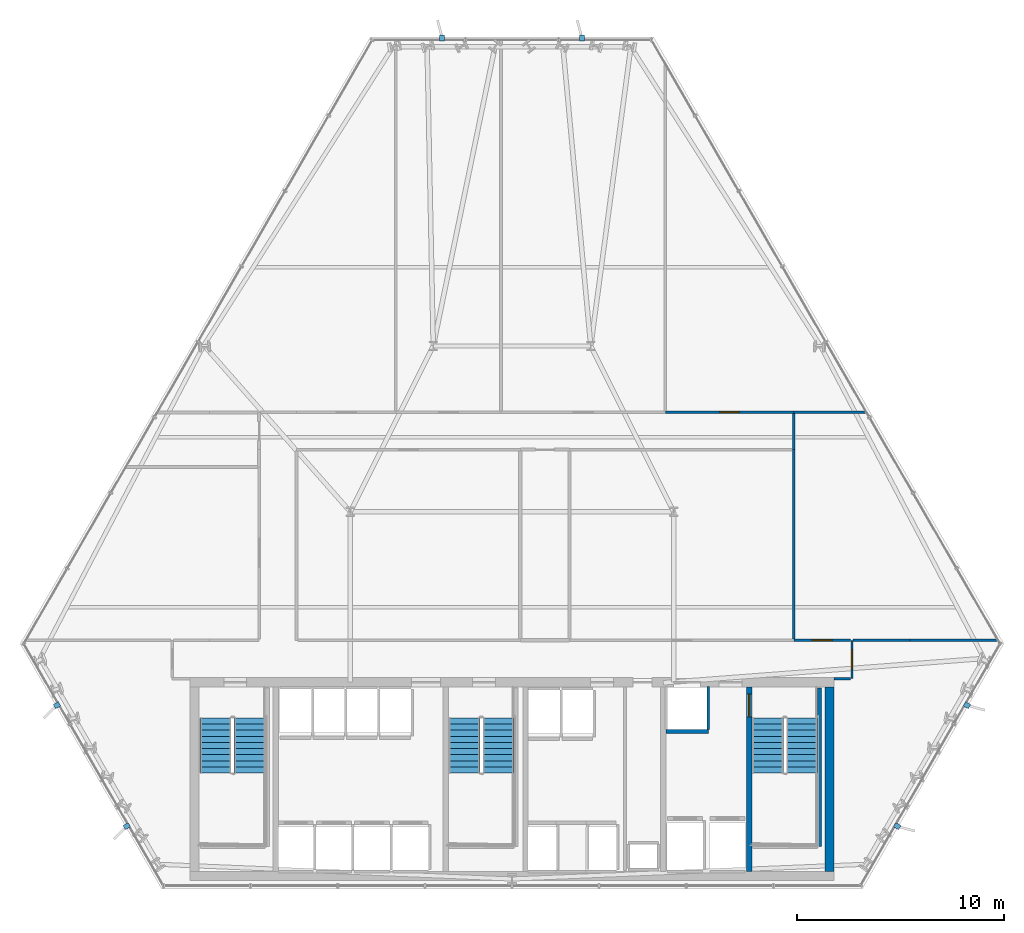
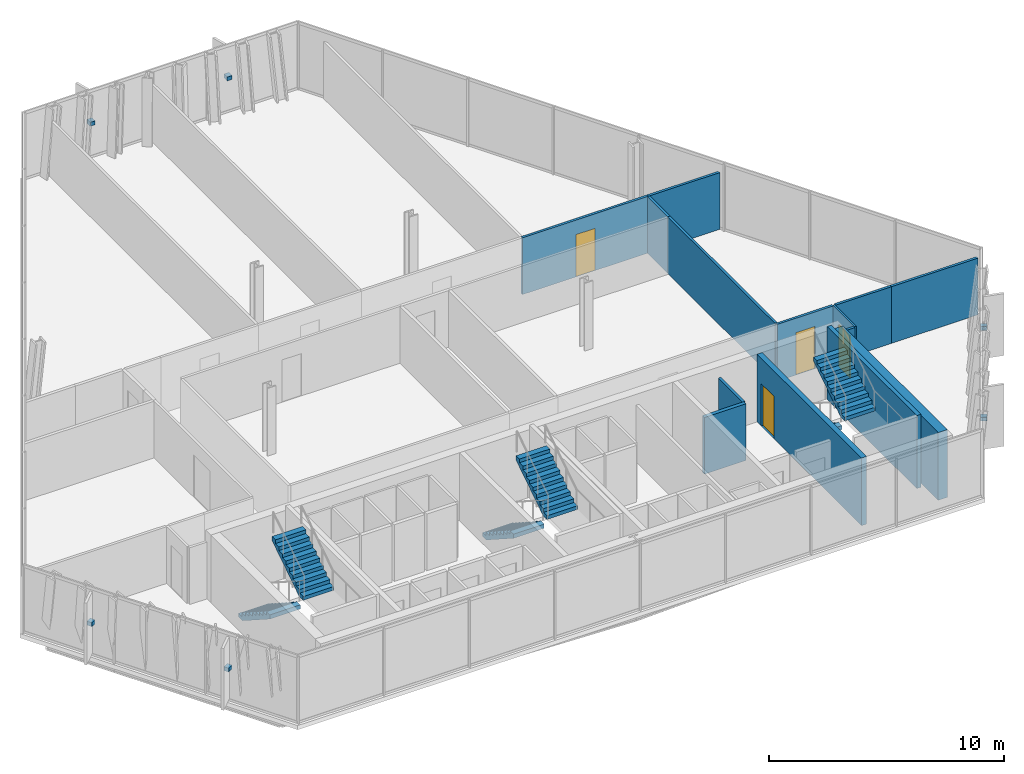
# One storey, part 27 of 31: 14 walls, 6 discrete accessories, 6 stair flights, 4 doors, 4 openings, 3 elements without a shape of their own.
"""IFC4 building model written with IfcOpenShell, lengths in metres."""

from ifc_helpers import new_model, si_unit, direction, frame, frame_2d, origin, origin_2d, place, context, subcontext, project, spatial, polyline, rectangle, outline, extrude, material, layer, layer_set, type_object, element, fill, aggregate, save


model = new_model("IFC4")

# Units and contexts
model_context = context("Model", 3, precision=1e-05, world=origin(), true_north=direction((0.0, 1.0)))
body_context = subcontext(model_context, "Body", "Model", "MODEL_VIEW")
ifc_project = project(units=[si_unit("LENGTHUNIT", "METRE"), si_unit("AREAUNIT", "SQUARE_METRE"), si_unit("VOLUMEUNIT", "CUBIC_METRE"), si_unit("PLANEANGLEUNIT", "RADIAN"), si_unit("MASSUNIT", "GRAM", prefix="KILO")], contexts=[model_context])

# Site, building, storey
site_placement = place(None, origin())
site = spatial("IfcSite", under=ifc_project, at=site_placement, CompositionType="ELEMENT")
building_placement = place(site_placement, origin())
building = spatial("IfcBuilding", under=site, at=building_placement, Name="Ndaravel Arena Tower", CompositionType="ELEMENT")
storey_placement = place(building_placement, frame((0.0, 0.0, 108.199951171875)))
storey = spatial("IfcBuildingStorey", under=building, at=storey_placement, Name="L25", CompositionType="ELEMENT", Elevation=108.199951171875)

# Wall, opening, door
ifc_material_1 = material(Name="Concrete C60/75", Category="concrete")
ifc_layer_1 = layer(ifc_material_1, 0.25)
ifc_layer_set_1 = layer_set([ifc_layer_1], Name="Concrete C60/75")
wall_type_1 = type_object("IfcWallType", Name="WALL-CORE-250", PredefinedType="SOLIDWALL", material=ifc_layer_set_1)
wall_1_placement = place(storey_placement, frame((53.449951171875, 5.85009765625, 0.0), z_axis=(0.0, 0.0, 1.0), x_axis=(0.0, 1.0, 0.0)))
wall_1 = element("IfcWall", 1, at=wall_1_placement, inside=storey, type_object=wall_type_1, Name="L25 Core Web Shear Wall 5", PredefinedType="SOLIDWALL", context=body_context, shape_type="SweptSolid", body=[
    extrude(rectangle(XDim=8.89990234375, YDim=0.25, at=frame_2d((4.449951171875, 0.0))), origin(), (0.0, 0.0, 1.0), 3.52001953125),
])
opening_1_placement = place(wall_1_placement, frame((7.449951171875, 0.0, 0.0)))
opening_1 = element("IfcOpeningElement", 2, at=opening_1_placement, cuts=wall_1, Name="Opening FD-01", PredefinedType="OPENING", context=body_context, shape_type="SweptSolid", body=[
    extrude(rectangle(XDim=1.10009765625, YDim=2.199951171875, at=frame_2d((0.550048828125, 1.10009765625))), frame((0.0, 0.125, 0.0), z_axis=(0.0, -1.0, 0.0), x_axis=(1.0, 0.0, 0.0)), (0.0, 0.0, 1.0), 0.25),
])
ifc_material_2 = material(Name="Steel S355", Category="steel")
door_type_1 = type_object("IfcDoorType", Name="DT-01-STAIR-1100", OperationType="SINGLE_SWING_LEFT", PredefinedType="DOOR", material=ifc_material_2)
door_1_placement = place(opening_1_placement, origin())
door_1 = element("IfcDoor", 3, at=door_1_placement, inside=storey, type_object=door_type_1, Name="L25 Firefighting Lobby to ST-3 Door", OperationType="SINGLE_SWING_LEFT", OverallHeight=2.199951171875, OverallWidth=1.10009765625, PredefinedType="DOOR", context=body_context, shape_type="SweptSolid", body=[
    extrude(rectangle(XDim=1.10009765625, YDim=2.199951171875, at=frame_2d((0.550048828125, 1.10009765625))), frame((0.0, 0.02490234375, 0.0), z_axis=(0.0, -1.0, 0.0), x_axis=(1.0, 0.0, 0.0)), (0.0, 0.0, 1.0), 0.050048828125),
])
fill(opening_1, door_1)

# Wall
ifc_material_3 = material(Name="Concrete C60/75", Category="concrete")
ifc_layer_2 = layer(ifc_material_3, 0.449951171875)
ifc_layer_set_2 = layer_set([ifc_layer_2], Name="Concrete C60/75")
wall_type_2 = type_object("IfcWallType", Name="WALL-CORE-450", PredefinedType="SOLIDWALL", material=ifc_layer_set_2)
wall_2_placement = place(storey_placement, frame((57.324951171875, 5.85009765625, 0.0), z_axis=(0.0, 0.0, 1.0), x_axis=(0.0, 1.0, 0.0)))
element("IfcWall", 4, at=wall_2_placement, inside=storey, type_object=wall_type_2, Name="L25 Core East Shear Wall", PredefinedType="SOLIDWALL", context=body_context, shape_type="SweptSolid", body=[
    extrude(rectangle(XDim=8.89990234375, YDim=0.449951171875, at=frame_2d((4.449951171875, 0.0))), origin(), (0.0, 0.0, 1.0), 3.52001953125),
])

# Wall, opening, door
ifc_material_4 = material(Name="Timber", Category="wood")
ifc_layer_3 = layer(ifc_material_4, 0.10009765625)
ifc_layer_set_3 = layer_set([ifc_layer_3], Name="Timber")
wall_type_3 = type_object("IfcWallType", Name="WALL-MOVABLE-100", PredefinedType="MOVABLE", material=ifc_layer_set_3)
wall_3_placement = place(storey_placement, frame((58.39990234375, 17.0, 0.0), z_axis=(0.0, 0.0, 1.0), x_axis=(0.0, -1.0, 0.0)))
wall_3 = element("IfcWall", 5, at=wall_3_placement, inside=storey, type_object=wall_type_3, Name="L25 Interior Partition 001", PredefinedType="MOVABLE", context=body_context, shape_type="SweptSolid", body=[
    extrude(rectangle(XDim=1.85009765625, YDim=0.10009765625, at=frame_2d((0.925048828125, 0.0))), origin(), (0.0, 0.0, 1.0), 2.950439453125),
])
opening_2_placement = place(wall_3_placement, frame((0.449951171875, 0.0, 0.0)))
opening_2 = element("IfcOpeningElement", 6, at=opening_2_placement, cuts=wall_3, Name="Opening ID-01", PredefinedType="OPENING", context=body_context, shape_type="SweptSolid", body=[
    extrude(rectangle(XDim=0.949951171875, YDim=2.199951171875, at=frame_2d((0.47509765625, 1.10009765625))), frame((0.0, 0.050048828125, 0.0), z_axis=(0.0, -1.0, 0.0), x_axis=(1.0, 0.0, 0.0)), (0.0, 0.0, 1.0), 0.10009765625),
])
ifc_material_5 = material(Name="Timber", Category="wood")
door_type_2 = type_object("IfcDoorType", Name="DT-03-OFFICE-950", OperationType="SINGLE_SWING_LEFT", PredefinedType="DOOR", material=ifc_material_5)
door_2_placement = place(opening_2_placement, origin())
door_2 = element("IfcDoor", 7, at=door_2_placement, inside=storey, type_object=door_type_2, Name="L25 Design Bookshop Boutique Door", OperationType="SINGLE_SWING_LEFT", OverallHeight=2.199951171875, OverallWidth=0.949951171875, PredefinedType="DOOR", context=body_context, shape_type="SweptSolid", body=[
    extrude(rectangle(XDim=0.949951171875, YDim=2.199951171875, at=frame_2d((0.47509765625, 1.10009765625))), frame((0.0, 0.02490234375, 0.0), z_axis=(0.0, -1.0, 0.0), x_axis=(1.0, 0.0, 0.0)), (0.0, 0.0, 1.0), 0.050048828125),
])
fill(opening_2, door_2)

# Wall
ifc_material_6 = material(Name="Gypsum", Category="gypsum")
ifc_layer_4 = layer(ifc_material_6, 0.125)
ifc_layer_set_4 = layer_set([ifc_layer_4], Name="Gypsum")
wall_type_4 = type_object("IfcWallType", Name="WALL-PART-125", PredefinedType="PARTITIONING", material=ifc_layer_set_4)
wall_4_placement = place(storey_placement, frame((58.3349609375, 15.14990234375, 0.0), z_axis=(0.0, 0.0, 1.0), x_axis=(-1.0, 0.0, 0.0)))
element("IfcWall", 8, at=wall_4_placement, inside=storey, type_object=wall_type_4, Name="L25 Interior Partition 002", PredefinedType="PARTITIONING", context=body_context, shape_type="SweptSolid", body=[
    extrude(rectangle(XDim=0.784912109375, YDim=0.125, at=frame_2d((0.392578125, 0.0))), origin(), (0.0, 0.0, 1.0), 2.950439453125),
])

# Wall, opening, door
wall_5_placement = place(storey_placement, frame((49.39990234375, 28.0, 0.0), z_axis=(0.0, 0.0, 1.0), x_axis=(1.0, 0.0, 0.0)))
wall_5 = element("IfcWall", 9, at=wall_5_placement, inside=storey, type_object=wall_type_4, Name="L25 Interior Partition 014", PredefinedType="PARTITIONING", context=body_context, shape_type="SweptSolid", body=[
    extrude(rectangle(XDim=6.2001953125, YDim=0.125, at=frame_2d((3.10009765625, 0.0))), origin(), (0.0, 0.0, 1.0), 2.950439453125),
])
opening_3_placement = place(wall_5_placement, frame((2.625, 0.0, 0.0)))
opening_3 = element("IfcOpeningElement", 10, at=opening_3_placement, cuts=wall_5, Name="Opening ID-01", PredefinedType="OPENING", context=body_context, shape_type="SweptSolid", body=[
    extrude(rectangle(XDim=0.949951171875, YDim=2.199951171875, at=frame_2d((0.47509765625, 1.10009765625))), frame((0.0, 0.0625, 0.0), z_axis=(0.0, -1.0, 0.0), x_axis=(1.0, 0.0, 0.0)), (0.0, 0.0, 1.0), 0.125),
])
door_3_placement = place(opening_3_placement, origin())
door_3 = element("IfcDoor", 11, at=door_3_placement, inside=storey, type_object=door_type_2, Name="L25 Refreshment Kiosk 2 Door", OperationType="SINGLE_SWING_RIGHT", OverallHeight=2.199951171875, OverallWidth=0.949951171875, PredefinedType="DOOR", context=body_context, shape_type="SweptSolid", body=[
    extrude(rectangle(XDim=0.949951171875, YDim=2.199951171875, at=frame_2d((0.47509765625, 1.10009765625))), frame((0.0, 0.02490234375, 0.0), z_axis=(0.0, -1.0, 0.0), x_axis=(1.0, 0.0, 0.0)), (0.0, 0.0, 1.0), 0.050048828125),
])
fill(opening_3, door_3)

# Wall
wall_6_placement = place(storey_placement, frame((55.60009765625, 27.93505859375, 0.0), z_axis=(0.0, 0.0, 1.0), x_axis=(0.0, -1.0, 0.0)))
element("IfcWall", 12, at=wall_6_placement, inside=storey, type_object=wall_type_4, Name="L25 Interior Partition 015", PredefinedType="PARTITIONING", context=body_context, shape_type="SweptSolid", body=[
    extrude(rectangle(XDim=1.735107421875, YDim=0.125, at=frame_2d((0.86767578125, 0.0))), origin(), (0.0, 0.0, 1.0), 2.950439453125),
])

# Wall, opening, door
wall_7_placement = place(storey_placement, frame((55.60009765625, 17.0, 0.0), z_axis=(0.0, 0.0, 1.0), x_axis=(1.0, 0.0, 0.0)))
wall_7 = element("IfcWall", 13, at=wall_7_placement, inside=storey, type_object=wall_type_4, Name="L25 Interior Partition 023", PredefinedType="PARTITIONING", context=body_context, shape_type="SweptSolid", body=[
    extrude(rectangle(XDim=2.73486328125, YDim=0.125, at=frame_2d((1.367431640625, 0.0))), origin(), (0.0, 0.0, 1.0), 2.950439453125),
])
opening_4_placement = place(wall_7_placement, frame((0.892578125, 0.0, 0.0)))
opening_4 = element("IfcOpeningElement", 14, at=opening_4_placement, cuts=wall_7, Name="Opening ID-01", PredefinedType="OPENING", context=body_context, shape_type="SweptSolid", body=[
    extrude(rectangle(XDim=0.949951171875, YDim=2.199951171875, at=frame_2d((0.47509765625, 1.10009765625))), frame((0.0, 0.0625, 0.0), z_axis=(0.0, -1.0, 0.0), x_axis=(1.0, 0.0, 0.0)), (0.0, 0.0, 1.0), 0.125),
])
door_4_placement = place(opening_4_placement, origin())
door_4 = element("IfcDoor", 15, at=door_4_placement, inside=storey, type_object=door_type_2, Name="L25 Advisory Desk Office 3 Door", OperationType="SINGLE_SWING_RIGHT", OverallHeight=2.199951171875, OverallWidth=0.949951171875, PredefinedType="DOOR", context=body_context, shape_type="SweptSolid", body=[
    extrude(rectangle(XDim=0.949951171875, YDim=2.199951171875, at=frame_2d((0.47509765625, 1.10009765625))), frame((0.0, 0.02490234375, 0.0), z_axis=(0.0, -1.0, 0.0), x_axis=(1.0, 0.0, 0.0)), (0.0, 0.0, 1.0), 0.050048828125),
])
fill(opening_4, door_4)

# Walls
wall_8_placement = place(storey_placement, frame((58.465087890625, 17.0, 0.0), z_axis=(0.0, 0.0, 1.0), x_axis=(1.0, 0.0, 0.0)))
element("IfcWall", 16, at=wall_8_placement, inside=storey, type_object=wall_type_4, Name="L25 Interior Partition 025", PredefinedType="PARTITIONING", context=body_context, shape_type="SweptSolid", body=[
    extrude(rectangle(XDim=2.73486328125, YDim=0.125, at=frame_2d((1.367431640625, 0.0))), origin(), (0.0, 0.0, 1.0), 2.950439453125),
])
wall_9_placement = place(storey_placement, frame((61.199951171875, 17.0, 0.0), z_axis=(0.0, 0.0, 1.0), x_axis=(1.0, 0.0, 0.0)))
element("IfcWall", 17, at=wall_9_placement, inside=storey, type_object=wall_type_4, Name="L25 Interior Partition 026", PredefinedType="PARTITIONING", context=body_context, shape_type="SweptSolid", body=[
    extrude(rectangle(XDim=4.2607421875, YDim=0.125, at=frame_2d((2.13037109375, 0.0))), origin(), (0.0, 0.0, 1.0), 2.950439453125),
])
wall_10_placement = place(storey_placement, frame((55.60009765625, 26.199951171875, 0.0), z_axis=(0.0, 0.0, 1.0), x_axis=(0.0, -1.0, 0.0)))
element("IfcWall", 18, at=wall_10_placement, inside=storey, type_object=wall_type_4, Name="L25 Interior Partition 030", PredefinedType="PARTITIONING", context=body_context, shape_type="SweptSolid", body=[
    extrude(rectangle(XDim=9.135009765625, YDim=0.125, at=frame_2d((4.5673828125, 0.0))), origin(), (0.0, 0.0, 1.0), 2.950439453125),
])
wall_11_placement = place(storey_placement, frame((55.60009765625, 28.0, 0.0), z_axis=(0.0, 0.0, 1.0), x_axis=(1.0, 0.0, 0.0)))
element("IfcWall", 19, at=wall_11_placement, inside=storey, type_object=wall_type_4, Name="L25 Interior Partition 031", PredefinedType="PARTITIONING", context=body_context, shape_type="SweptSolid", body=[
    extrude(rectangle(XDim=3.510009765625, YDim=0.125, at=frame_2d((1.7548828125, 0.0))), origin(), (0.0, 0.0, 1.0), 2.950439453125),
])
ifc_material_7 = material(Name="Concrete C40/50", Category="concrete")
ifc_layer_5 = layer(ifc_material_7, 0.1201171875)
ifc_layer_set_5 = layer_set([ifc_layer_5], Name="Concrete C40/50")
wall_type_5 = type_object("IfcWallType", Name="WALL-SHAFT-120", PredefinedType="SOLIDWALL", material=ifc_layer_set_5)
wall_12_placement = place(storey_placement, frame((51.47998046875, 12.68994140625, 0.0), z_axis=(0.0, 0.0, 1.0), x_axis=(0.0, 1.0, 0.0)))
element("IfcWall", 20, at=wall_12_placement, inside=storey, type_object=wall_type_5, Name="L25 SVL-1 Shaft E Wall", PredefinedType="SOLIDWALL", context=body_context, shape_type="SweptSolid", body=[
    extrude(rectangle(XDim=2.070068359375, YDim=0.1201171875, at=frame_2d((1.03515625, 0.0))), origin(), (0.0, 0.0, 1.0), 2.950439453125),
])
ifc_material_8 = material(Name="Concrete C40/50", Category="concrete")
ifc_layer_6 = layer(ifc_material_8, 0.199951171875)
ifc_layer_set_6 = layer_set([ifc_layer_6], Name="Concrete C40/50")
wall_type_6 = type_object("IfcWallType", Name="WALL-SHAFT-200", PredefinedType="SOLIDWALL", material=ifc_layer_set_6)
wall_13_placement = place(storey_placement, frame((56.840087890625, 14.699951171875, 0.0), z_axis=(0.0, 0.0, 1.0), x_axis=(0.0, -1.0, 0.0)))
element("IfcWall", 21, at=wall_13_placement, inside=storey, type_object=wall_type_6, Name="L25 ST-3 Structural Shaft Wall Right", PredefinedType="SOLIDWALL", context=body_context, shape_type="SweptSolid", body=[
    extrude(rectangle(XDim=7.64990234375, YDim=0.199951171875, at=frame_2d((3.824951171875, 0.0))), origin(), (0.0, 0.0, 1.0), 3.800048828125),
])
wall_14_placement = place(storey_placement, frame((49.43994140625, 12.594970703125, 0.0), z_axis=(0.0, 0.0, 1.0), x_axis=(1.0, 0.0, 0.0)))
element("IfcWall", 22, at=wall_14_placement, inside=storey, type_object=wall_type_6, Name="L25 SVL-1 Shaft South Wall", PredefinedType="SOLIDWALL", context=body_context, shape_type="SweptSolid", body=[
    extrude(rectangle(XDim=2.0400390625, YDim=0.179931640625, at=frame_2d((1.02001953125, 0.0))), origin(), (0.0, 0.0, 1.0), 2.950439453125),
])

# Stair, stair flights
ifc_material_9 = material(Name="Concrete C40/50", Category="concrete")
stair_type = type_object("IfcStairType", Name="STAIR-CORE-HT", PredefinedType="HALF_TURN_STAIR", material=ifc_material_9)
stair_1_placement = place(storey_placement, origin())
stair_1 = element("IfcStair", 23, at=stair_1_placement, inside=storey, type_object=stair_type, Name="L25 ST-1", PredefinedType="HALF_TURN_STAIR")
ifc_material_10 = material(Name="Concrete C40/50", Category="concrete")
stair_flight_type = type_object("IfcStairFlightType", Name="SFLIGHT-CORE-1680", PredefinedType="STRAIGHT", material=ifc_material_10)
stair_flight_1_placement = place(storey_placement, frame((27.699951171875, 13.25, 0.0), z_axis=(0.0, 0.0, 1.0), x_axis=(0.0, -1.0, 0.0)))
stair_flight_1 = element("IfcStairFlight", 24, at=stair_flight_1_placement, type_object=stair_flight_type, Name="ST-1 flight 1", NumberOfRisers=10, NumberOfTreads=9, PredefinedType="STRAIGHT", RiserHeight=0.19, TreadLength=0.295, context=body_context, shape_type="SweptSolid", body=[
    extrude(outline(polyline([(0.0, 0.0), (0.0, 0.18994140625), (0.294921875, 0.18994140625), (0.294921875, 0.3798828125), (0.590087890625, 0.3798828125), (0.590087890625, 0.570068359375), (0.885009765625, 0.570068359375), (0.885009765625, 0.760009765625), (1.179931640625, 0.760009765625), (1.179931640625, 0.949951171875), (1.47509765625, 0.949951171875), (1.47509765625, 1.139892578125), (1.77001953125, 1.139892578125), (1.77001953125, 1.330078125), (2.06494140625, 1.330078125), (2.06494140625, 1.52001953125), (2.360107421875, 1.52001953125), (2.360107421875, 1.7099609375), (2.655029296875, 1.7099609375), (2.655029296875, 1.89990234375), (2.655029296875, 1.49609375), (0.332275390625, 0.0), (0.0, 0.0)])), frame((0.0, 0.75, 0.0), z_axis=(0.0, -1.0, 0.0), x_axis=(1.0, 0.0, 0.0)), (0.0, 0.0, 1.0), 1.5),
])
stair_flight_2_placement = place(storey_placement, frame((29.340087890625, 10.594970703125, 1.900146484375), z_axis=(0.0, 0.0, 1.0), x_axis=(0.0, 1.0, 0.0)))
stair_flight_2 = element("IfcStairFlight", 25, at=stair_flight_2_placement, type_object=stair_flight_type, Name="ST-1 flight 2", NumberOfRisers=10, NumberOfTreads=9, PredefinedType="STRAIGHT", RiserHeight=0.19, TreadLength=0.295, context=body_context, shape_type="SweptSolid", body=[
    extrude(outline(polyline([(0.0, 0.0), (0.0, 0.18994140625), (0.294921875, 0.18994140625), (0.294921875, 0.3798828125), (0.590087890625, 0.3798828125), (0.590087890625, 0.570068359375), (0.885009765625, 0.570068359375), (0.885009765625, 0.760009765625), (1.179931640625, 0.760009765625), (1.179931640625, 0.949951171875), (1.47509765625, 0.949951171875), (1.47509765625, 1.139892578125), (1.77001953125, 1.139892578125), (1.77001953125, 1.330078125), (2.06494140625, 1.330078125), (2.06494140625, 1.52001953125), (2.360107421875, 1.52001953125), (2.360107421875, 1.7099609375), (2.655029296875, 1.7099609375), (2.655029296875, 1.89990234375), (2.655029296875, 1.49609375), (0.332275390625, 0.0), (0.0, 0.0)])), frame((0.0, 0.75, 0.0), z_axis=(0.0, -1.0, 0.0), x_axis=(1.0, 0.0, 0.0)), (0.0, 0.0, 1.0), 1.5),
])
aggregate(stair_1, [stair_flight_1, stair_flight_2])

stair_2_placement = place(storey_placement, origin())
stair_2 = element("IfcStair", 26, at=stair_2_placement, inside=storey, type_object=stair_type, Name="L25 ST-2", PredefinedType="HALF_TURN_STAIR")
stair_flight_3_placement = place(storey_placement, frame((39.699951171875, 13.25, 0.0), z_axis=(0.0, 0.0, 1.0), x_axis=(0.0, -1.0, 0.0)))
stair_flight_3 = element("IfcStairFlight", 27, at=stair_flight_3_placement, type_object=stair_flight_type, Name="ST-2 flight 1", NumberOfRisers=10, NumberOfTreads=9, PredefinedType="STRAIGHT", RiserHeight=0.19, TreadLength=0.295, context=body_context, shape_type="SweptSolid", body=[
    extrude(outline(polyline([(0.0, 0.0), (0.0, 0.18994140625), (0.294921875, 0.18994140625), (0.294921875, 0.3798828125), (0.590087890625, 0.3798828125), (0.590087890625, 0.570068359375), (0.885009765625, 0.570068359375), (0.885009765625, 0.760009765625), (1.179931640625, 0.760009765625), (1.179931640625, 0.949951171875), (1.47509765625, 0.949951171875), (1.47509765625, 1.139892578125), (1.77001953125, 1.139892578125), (1.77001953125, 1.330078125), (2.06494140625, 1.330078125), (2.06494140625, 1.52001953125), (2.360107421875, 1.52001953125), (2.360107421875, 1.7099609375), (2.655029296875, 1.7099609375), (2.655029296875, 1.89990234375), (2.655029296875, 1.49609375), (0.332275390625, 0.0), (0.0, 0.0)])), frame((0.0, 0.75, 0.0), z_axis=(0.0, -1.0, 0.0), x_axis=(1.0, 0.0, 0.0)), (0.0, 0.0, 1.0), 1.5),
])
stair_flight_4_placement = place(storey_placement, frame((41.340087890625, 10.594970703125, 1.900146484375), z_axis=(0.0, 0.0, 1.0), x_axis=(0.0, 1.0, 0.0)))
stair_flight_4 = element("IfcStairFlight", 28, at=stair_flight_4_placement, type_object=stair_flight_type, Name="ST-2 flight 2", NumberOfRisers=10, NumberOfTreads=9, PredefinedType="STRAIGHT", RiserHeight=0.19, TreadLength=0.295, context=body_context, shape_type="SweptSolid", body=[
    extrude(outline(polyline([(0.0, 0.0), (0.0, 0.18994140625), (0.294921875, 0.18994140625), (0.294921875, 0.3798828125), (0.590087890625, 0.3798828125), (0.590087890625, 0.570068359375), (0.885009765625, 0.570068359375), (0.885009765625, 0.760009765625), (1.179931640625, 0.760009765625), (1.179931640625, 0.949951171875), (1.47509765625, 0.949951171875), (1.47509765625, 1.139892578125), (1.77001953125, 1.139892578125), (1.77001953125, 1.330078125), (2.06494140625, 1.330078125), (2.06494140625, 1.52001953125), (2.360107421875, 1.52001953125), (2.360107421875, 1.7099609375), (2.655029296875, 1.7099609375), (2.655029296875, 1.89990234375), (2.655029296875, 1.49609375), (0.332275390625, 0.0), (0.0, 0.0)])), frame((0.0, 0.75, 0.0), z_axis=(0.0, -1.0, 0.0), x_axis=(1.0, 0.0, 0.0)), (0.0, 0.0, 1.0), 1.5),
])
aggregate(stair_2, [stair_flight_3, stair_flight_4])

stair_3_placement = place(storey_placement, origin())
stair_3 = element("IfcStair", 29, at=stair_3_placement, inside=storey, type_object=stair_type, Name="L25 ST-3", PredefinedType="HALF_TURN_STAIR")
stair_flight_5_placement = place(storey_placement, frame((54.35009765625, 13.25, 0.0), z_axis=(0.0, 0.0, 1.0), x_axis=(0.0, -1.0, 0.0)))
stair_flight_5 = element("IfcStairFlight", 30, at=stair_flight_5_placement, type_object=stair_flight_type, Name="ST-3 flight 1", NumberOfRisers=10, NumberOfTreads=9, PredefinedType="STRAIGHT", RiserHeight=0.19, TreadLength=0.295, context=body_context, shape_type="SweptSolid", body=[
    extrude(outline(polyline([(0.0, 0.0), (0.0, 0.18994140625), (0.294921875, 0.18994140625), (0.294921875, 0.3798828125), (0.590087890625, 0.3798828125), (0.590087890625, 0.570068359375), (0.885009765625, 0.570068359375), (0.885009765625, 0.760009765625), (1.179931640625, 0.760009765625), (1.179931640625, 0.949951171875), (1.47509765625, 0.949951171875), (1.47509765625, 1.139892578125), (1.77001953125, 1.139892578125), (1.77001953125, 1.330078125), (2.06494140625, 1.330078125), (2.06494140625, 1.52001953125), (2.360107421875, 1.52001953125), (2.360107421875, 1.7099609375), (2.655029296875, 1.7099609375), (2.655029296875, 1.89990234375), (2.655029296875, 1.49609375), (0.332275390625, 0.0), (0.0, 0.0)])), frame((0.0, 0.75, 0.0), z_axis=(0.0, -1.0, 0.0), x_axis=(1.0, 0.0, 0.0)), (0.0, 0.0, 1.0), 1.5),
])
stair_flight_6_placement = place(storey_placement, frame((55.989990234375, 10.594970703125, 1.900146484375), z_axis=(0.0, 0.0, 1.0), x_axis=(0.0, 1.0, 0.0)))
stair_flight_6 = element("IfcStairFlight", 31, at=stair_flight_6_placement, type_object=stair_flight_type, Name="ST-3 flight 2", NumberOfRisers=10, NumberOfTreads=9, PredefinedType="STRAIGHT", RiserHeight=0.19, TreadLength=0.295, context=body_context, shape_type="SweptSolid", body=[
    extrude(outline(polyline([(0.0, 0.0), (0.0, 0.18994140625), (0.294921875, 0.18994140625), (0.294921875, 0.3798828125), (0.590087890625, 0.3798828125), (0.590087890625, 0.570068359375), (0.885009765625, 0.570068359375), (0.885009765625, 0.760009765625), (1.179931640625, 0.760009765625), (1.179931640625, 0.949951171875), (1.47509765625, 0.949951171875), (1.47509765625, 1.139892578125), (1.77001953125, 1.139892578125), (1.77001953125, 1.330078125), (2.06494140625, 1.330078125), (2.06494140625, 1.52001953125), (2.360107421875, 1.52001953125), (2.360107421875, 1.7099609375), (2.655029296875, 1.7099609375), (2.655029296875, 1.89990234375), (2.655029296875, 1.49609375), (0.332275390625, 0.0), (0.0, 0.0)])), frame((0.0, 0.75, 0.0), z_axis=(0.0, -1.0, 0.0), x_axis=(1.0, 0.0, 0.0)), (0.0, 0.0, 1.0), 1.5),
])
aggregate(stair_3, [stair_flight_5, stair_flight_6])

# Discrete accessories
ifc_material_11 = material(Name="Steel S355", Category="steel")
discrete_accessory_type = type_object("IfcDiscreteAccessoryType", Name="ACC-BRACKET-FIN", PredefinedType="BRACKET", material=ifc_material_11)
for number, where, z_axis, x_axis, name in (
    (32, (60.58935546875, 8.0283203125, 1.66015625), (0.0, 0.0, 1.0), (0.866025403784, -0.5, 0.0), "L25 Mazeras Stone Solar Fin E2.1 Bracket"),
    (33, (63.958984375, 13.864501953125, 1.66015625), (0.0, 0.0, 1.0), (0.866025403784, -0.5, 0.0), "L25 Mazeras Stone Solar Fin E2.2 Bracket"),
    (34, (45.36962890625, 46.0625, 1.66015625), (0.0, 0.0, 1.0), (0.0, 1.0, 0.0), "L25 Mazeras Stone Solar Fin E4.1 Bracket"),
    (35, (38.63037109375, 46.0625, 1.66015625), (0.0, 0.0, 1.0), (0.0, 1.0, 0.0), "L25 Mazeras Stone Solar Fin E4.2 Bracket"),
    (36, (20.041015625, 13.864501953125, 1.66015625), (0.0, 0.0, 1.0), (-0.866025403784, -0.5, 0.0), "L25 Mazeras Stone Solar Fin E6.1 Bracket"),
    (37, (23.41064453125, 8.0283203125, 1.66015625), (0.0, 0.0, 1.0), (-0.866025403784, -0.5, 0.0), "L25 Mazeras Stone Solar Fin E6.2 Bracket"),
):
    element("IfcDiscreteAccessory", number, at=place(storey_placement, frame(where, z_axis=z_axis, x_axis=x_axis)), inside=storey, type_object=discrete_accessory_type, Name=name, PredefinedType="BRACKET", context=body_context, shape_type="SweptSolid", body=[
        extrude(rectangle(XDim=0.280029296875, YDim=0.239990234375, at=origin_2d()), origin(), (0.0, 0.0, 1.0), 0.199951171875),
    ])

save(model, "model.ifc")
